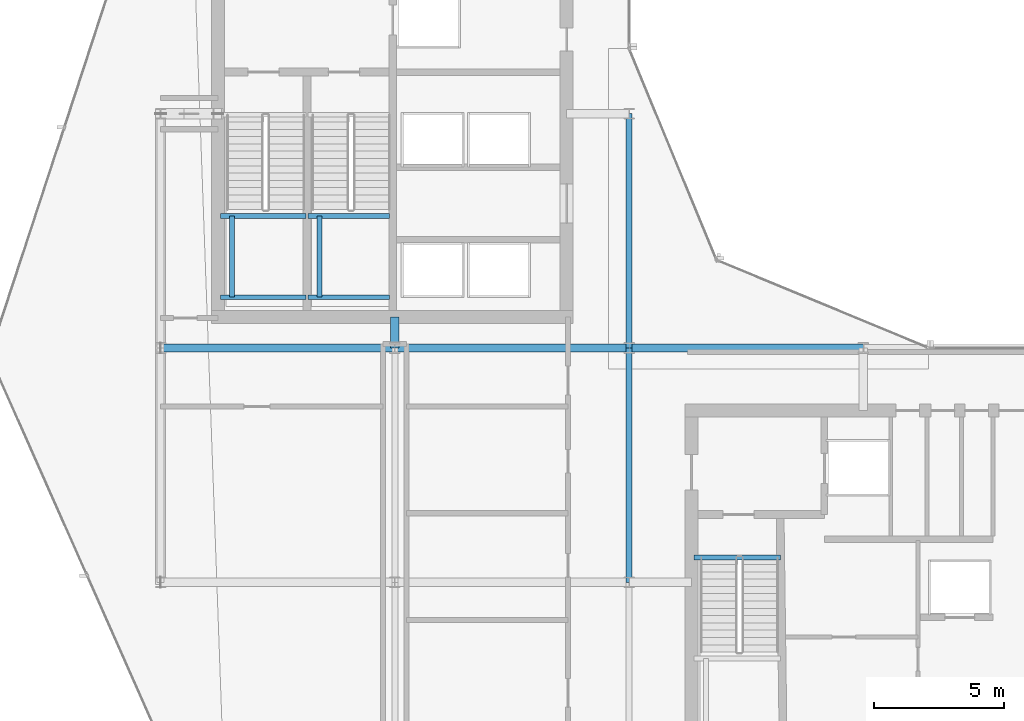
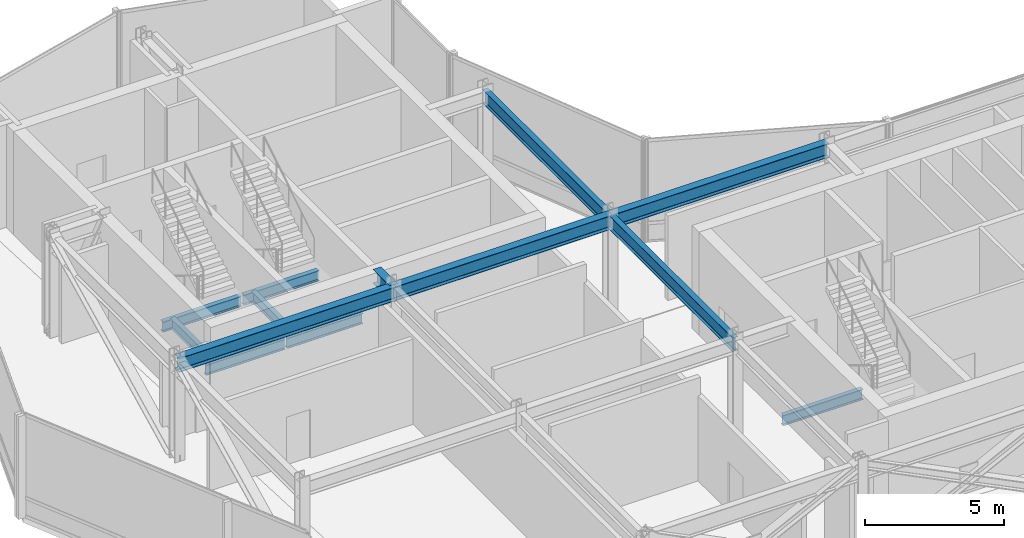
# One storey, part 7 of 30: 13 beams.
"""IFC4 building model written with IfcOpenShell, lengths in metres."""

from ifc_helpers import new_model, si_unit, direction, frame, origin, origin_2d, place, context, subcontext, project, spatial, i_section, extrude, material, material_profile, profile_set, type_object, element, save


model = new_model("IFC4")

# Units and contexts
model_context = context("Model", 3, precision=1e-05, world=origin(), true_north=direction((0.0, 1.0)))
body_context = subcontext(model_context, "Body", "Model", "MODEL_VIEW")
ifc_project = project(units=[si_unit("LENGTHUNIT", "METRE"), si_unit("AREAUNIT", "SQUARE_METRE"), si_unit("VOLUMEUNIT", "CUBIC_METRE"), si_unit("PLANEANGLEUNIT", "RADIAN"), si_unit("MASSUNIT", "GRAM", prefix="KILO")], contexts=[model_context])

# Site, building, storey
site_placement = place(None, origin())
site = spatial("IfcSite", under=ifc_project, at=site_placement, CompositionType="ELEMENT")
building_placement = place(site_placement, origin())
building = spatial("IfcBuilding", under=site, at=building_placement, Name="Solvaryn Broadcast Tower", CompositionType="ELEMENT")
storey_placement = place(building_placement, frame((0.0, 0.0, 196.39990234375)))
storey = spatial("IfcBuildingStorey", under=building, at=storey_placement, Name="L49", CompositionType="ELEMENT", Elevation=196.39990234375)

# Beams
ifc_material_1 = material(Name="Steel ASTM A992 Grade 50", Category="steel")
ifc_material_profile_1 = material_profile(ifc_material_1, i_section(OverallWidth=0.323974609375, OverallDepth=0.611083984375, WebThickness=0.0126953125, FlangeThickness=0.01904296875, FilletRadius=0.014892578125, at=origin_2d()))
ifc_profile_set_1 = profile_set([ifc_material_profile_1], Name="Steel ASTM A992 Grade 50")
beam_type_1 = type_object("IfcBeamType", Name="BM-B1-W24X104", PredefinedType="BEAM", material=ifc_profile_set_1)
for number, where, z_axis, x_axis, name in (
    (1, (9.0, 27.0, 4.214599609375), (1.0, 0.0, 0.0), (0.0, 1.0, 0.0), "L49 Primary Beam X (9-18 @ Y=27)"),
    (2, (18.0, 27.0, 4.214599609375), (1.0, 0.0, 0.0), (0.0, 1.0, 0.0), "L49 Primary Beam X (18-27 @ Y=27)"),
    (3, (27.0, 27.0, 4.214599609375), (1.0, 0.0, 0.0), (0.0, 1.0, 0.0), "L49 Primary Beam X (27-36 @ Y=27)"),
):
    element("IfcBeam", number, at=place(storey_placement, frame(where, z_axis=z_axis, x_axis=x_axis)), inside=storey, type_object=beam_type_1, Name=name, PredefinedType="BEAM", context=body_context, shape_type="SweptSolid", body=[
        extrude(i_section(OverallWidth=0.323974609375, OverallDepth=0.611083984375, WebThickness=0.0126953125, FlangeThickness=0.01904296875, FilletRadius=0.014892578125, at=origin_2d()), origin(), (0.0, 0.0, 1.0), 9.0),
    ])
beam_1_placement = place(storey_placement, frame((18.0, 27.0, 4.214599609375), z_axis=(0.0, 1.0, 0.0), x_axis=(-1.0, 0.0, 0.0)))
element("IfcBeam", 4, at=beam_1_placement, inside=storey, type_object=beam_type_1, Name="L49 Core Tie Beam CTW4", PredefinedType="BEAM", context=body_context, shape_type="SweptSolid", body=[
    extrude(i_section(OverallWidth=0.323974609375, OverallDepth=0.611083984375, WebThickness=0.0126953125, FlangeThickness=0.01904296875, FilletRadius=0.014892578125, at=origin_2d()), origin(), (0.0, 0.0, 1.0), 1.199951171875),
])
ifc_material_2 = material(Name="Steel ASTM A992 Grade 50", Category="steel")
ifc_material_profile_2 = material_profile(ifc_material_2, i_section(OverallWidth=0.22802734375, OverallDepth=0.60791015625, WebThickness=0.01123046875, FlangeThickness=0.017333984375, FilletRadius=0.014892578125, at=origin_2d()))
ifc_profile_set_2 = profile_set([ifc_material_profile_2], Name="Steel ASTM A992 Grade 50")
beam_type_2 = type_object("IfcBeamType", Name="BM-B2-W24X76", PredefinedType="BEAM", material=ifc_profile_set_2)
for number, where, z_axis, x_axis, name in (
    (5, (27.0, 18.0, 4.216064453125), (0.0, 1.0, 0.0), (-1.0, 0.0, 0.0), "L49 Primary Beam Y (18-27 @ X=27)"),
    (6, (27.0, 27.0, 4.216064453125), (0.0, 1.0, 0.0), (-1.0, 0.0, 0.0), "L49 Primary Beam Y (27-36 @ X=27)"),
):
    element("IfcBeam", number, at=place(storey_placement, frame(where, z_axis=z_axis, x_axis=x_axis)), inside=storey, type_object=beam_type_2, Name=name, PredefinedType="BEAM", context=body_context, shape_type="SweptSolid", body=[
        extrude(i_section(OverallWidth=0.22802734375, OverallDepth=0.60791015625, WebThickness=0.01123046875, FlangeThickness=0.017333984375, FilletRadius=0.014892578125, at=origin_2d()), origin(), (0.0, 0.0, 1.0), 9.0),
    ])
ifc_material_3 = material(Name="Steel ASTM A992 Grade 50", Category="steel")
ifc_material_profile_3 = material_profile(ifc_material_3, i_section(OverallWidth=0.18994140625, OverallDepth=0.45703125, WebThickness=0.009033203125, FlangeThickness=0.014404296875, FilletRadius=0.011962890625, at=origin_2d()))
ifc_profile_set_3 = profile_set([ifc_material_profile_3], Name="Steel ASTM A992 Grade 50")
beam_type_3 = type_object("IfcBeamType", Name="BM-B4-W18X50", PredefinedType="BEAM", material=ifc_profile_set_3)
for number, where, z_axis, x_axis, name in (
    (7, (11.300048828125, 28.949951171875, 1.9716796875), (1.0, 0.0, 0.0), (0.0, 1.0, 0.0), "L49 ST1 Landing Support Beam 1A"),
    (8, (11.300048828125, 32.070068359375, 1.9716796875), (1.0, 0.0, 0.0), (0.0, 1.0, 0.0), "L49 ST1 Landing Support Beam 1B"),
):
    element("IfcBeam", number, at=place(storey_placement, frame(where, z_axis=z_axis, x_axis=x_axis)), inside=storey, type_object=beam_type_3, Name=name, PredefinedType="BEAM", context=body_context, shape_type="SweptSolid", body=[
        extrude(i_section(OverallWidth=0.18994140625, OverallDepth=0.45703125, WebThickness=0.009033203125, FlangeThickness=0.014404296875, FilletRadius=0.011962890625, at=origin_2d()), origin(), (0.0, 0.0, 1.0), 3.280029296875),
    ])
beam_2_placement = place(storey_placement, frame((11.75, 28.949951171875, 1.9716796875), z_axis=(0.0, 1.0, 0.0), x_axis=(-1.0, 0.0, 0.0)))
element("IfcBeam", 9, at=beam_2_placement, inside=storey, type_object=beam_type_3, Name="L49 ST1 Landing Cross Stringer 1C", PredefinedType="BEAM", context=body_context, shape_type="SweptSolid", body=[
    extrude(i_section(OverallWidth=0.18994140625, OverallDepth=0.45703125, WebThickness=0.009033203125, FlangeThickness=0.014404296875, FilletRadius=0.011962890625, at=origin_2d()), origin(), (0.0, 0.0, 1.0), 3.1201171875),
])
for number, where, z_axis, x_axis, name in (
    (10, (14.659912109375, 28.949951171875, 1.9716796875), (1.0, 0.0, 0.0), (0.0, 1.0, 0.0), "L49 ST2 Landing Support Beam 1A"),
    (11, (14.659912109375, 32.070068359375, 1.9716796875), (1.0, 0.0, 0.0), (0.0, 1.0, 0.0), "L49 ST2 Landing Support Beam 1B"),
):
    element("IfcBeam", number, at=place(storey_placement, frame(where, z_axis=z_axis, x_axis=x_axis)), inside=storey, type_object=beam_type_3, Name=name, PredefinedType="BEAM", context=body_context, shape_type="SweptSolid", body=[
        extrude(i_section(OverallWidth=0.18994140625, OverallDepth=0.45703125, WebThickness=0.009033203125, FlangeThickness=0.014404296875, FilletRadius=0.011962890625, at=origin_2d()), origin(), (0.0, 0.0, 1.0), 3.14013671875),
    ])
beam_3_placement = place(storey_placement, frame((15.110107421875, 28.949951171875, 1.9716796875), z_axis=(0.0, 1.0, 0.0), x_axis=(-1.0, 0.0, 0.0)))
element("IfcBeam", 12, at=beam_3_placement, inside=storey, type_object=beam_type_3, Name="L49 ST2 Landing Cross Stringer 1C", PredefinedType="BEAM", context=body_context, shape_type="SweptSolid", body=[
    extrude(i_section(OverallWidth=0.18994140625, OverallDepth=0.45703125, WebThickness=0.009033203125, FlangeThickness=0.014404296875, FilletRadius=0.011962890625, at=origin_2d()), origin(), (0.0, 0.0, 1.0), 3.1201171875),
])
beam_4_placement = place(storey_placement, frame((29.5, 18.9599609375, -0.558349609375), z_axis=(1.0, 0.0, 0.0), x_axis=(0.0, 1.0, 0.0)))
element("IfcBeam", 13, at=beam_4_placement, inside=storey, type_object=beam_type_3, Name="L49 ST3 Stair Well Trimmer Beam", PredefinedType="BEAM", context=body_context, shape_type="SweptSolid", body=[
    extrude(i_section(OverallWidth=0.18994140625, OverallDepth=0.45703125, WebThickness=0.009033203125, FlangeThickness=0.014404296875, FilletRadius=0.011962890625, at=origin_2d()), origin(), (0.0, 0.0, 1.0), 3.320068359375),
])

save(model, "model.ifc")
